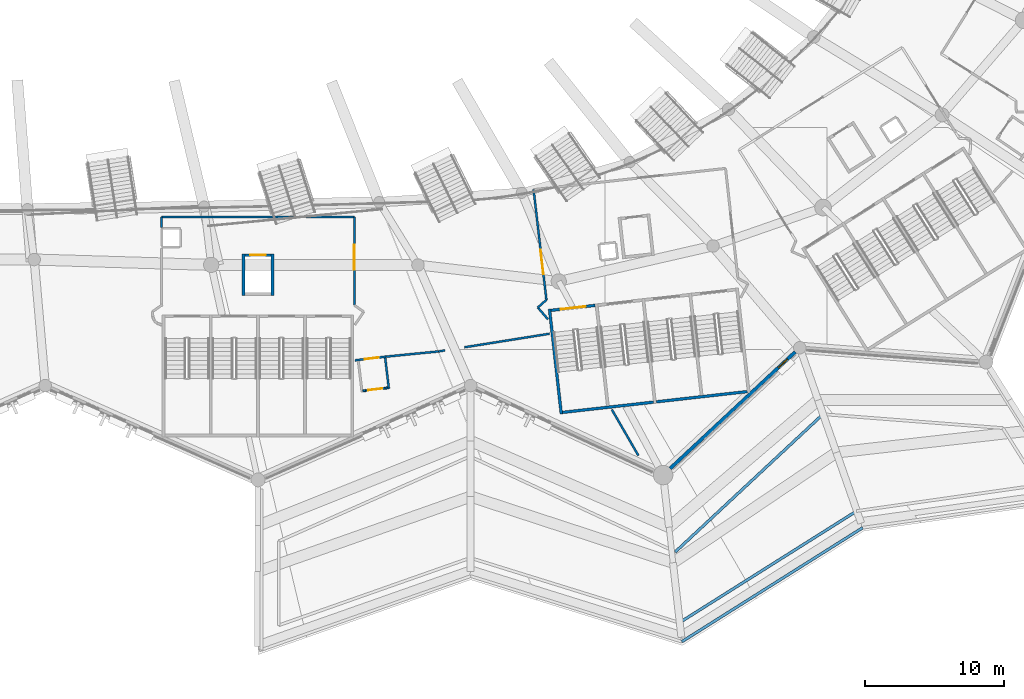
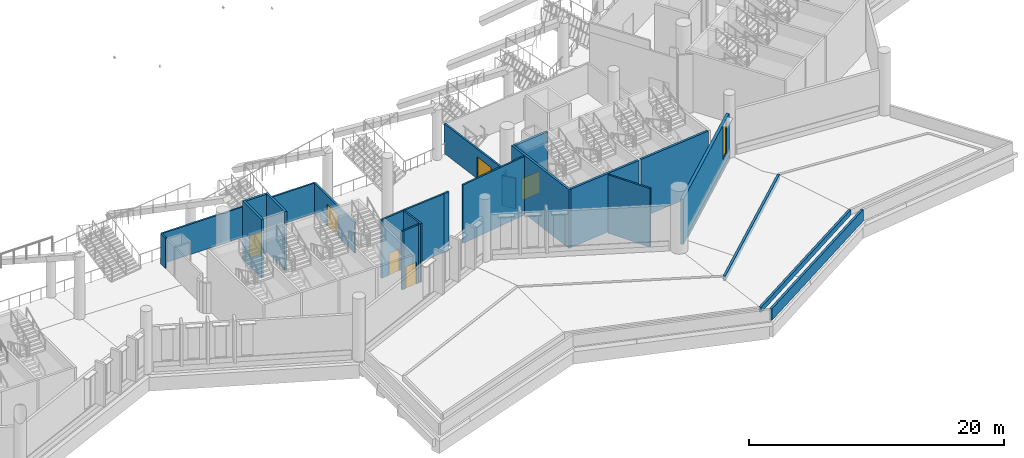
# One storey, part 52 of 173: 26 walls, 6 doors, 1 window, 7 openings.
"""IFC4 building model written with IfcOpenShell, lengths in metres."""

from ifc_helpers import new_model, si_unit, direction, frame, frame_2d, origin, place, context, subcontext, project, spatial, rectangle, extrude, material, layer, layer_set, type_object, element, fill, save


model = new_model("IFC4")

# Units and contexts
model_context = context("Model", 3, precision=1e-05, world=origin(), true_north=direction((0.0, 1.0)))
body_context = subcontext(model_context, "Body", "Model", "MODEL_VIEW")
ifc_project = project(units=[si_unit("LENGTHUNIT", "METRE"), si_unit("AREAUNIT", "SQUARE_METRE"), si_unit("VOLUMEUNIT", "CUBIC_METRE"), si_unit("PLANEANGLEUNIT", "RADIAN"), si_unit("MASSUNIT", "GRAM", prefix="KILO")], contexts=[model_context])

# Site, building, storey
site_placement = place(None, origin())
site = spatial("IfcSite", under=ifc_project, at=site_placement, CompositionType="ELEMENT")
building_placement = place(site_placement, origin())
building = spatial("IfcBuilding", under=site, at=building_placement, Name="Meseta Stadium", CompositionType="ELEMENT")
storey_placement = place(building_placement, frame((0.0, 0.0, 18.0)))
storey = spatial("IfcBuildingStorey", under=building, at=storey_placement, Name="L03", CompositionType="ELEMENT", Elevation=18.0)

# Walls
ifc_material_1 = material(Name="Concrete C40/50", Category="concrete")
ifc_layer_1 = layer(ifc_material_1, 0.199951171875)
ifc_layer_set_1 = layer_set([ifc_layer_1], Name="Core shaft wall 200")
wall_type_1 = type_object("IfcWallType", Name="Core shaft wall 200", PredefinedType="SHEAR", material=ifc_layer_set_1)
for number, where, z_axis, x_axis, name in (
    (1, (21.949951171875, -92.10009765625, 0.0), (0.0, 0.0, 1.0), (0.0, 1.0, 0.0), "Core 25 L03 lift shaft wall left"),
    (2, (24.050048828125, -92.10009765625, 0.0), (0.0, 0.0, 1.0), (0.0, 1.0, 0.0), "Core 25 L03 lift shaft wall right"),
):
    element("IfcWall", number, at=place(storey_placement, frame(where, z_axis=z_axis, x_axis=x_axis)), inside=storey, type_object=wall_type_1, Name=name, PredefinedType="SHEAR", context=body_context, shape_type="SweptSolid", body=[
        extrude(rectangle(XDim=3.0, YDim=0.199951171875, at=frame_2d((1.5, 0.0))), origin(), (0.0, 0.0, 1.0), 5.60009765625),
    ])

# Wall, opening, door
wall_1_placement = place(storey_placement, frame((22.050048828125, -89.199951171875, 0.0), z_axis=(0.0, 0.0, 1.0), x_axis=(1.0, 0.0, 0.0)))
wall_1 = element("IfcWall", 3, at=wall_1_placement, inside=storey, type_object=wall_type_1, Name="Core 25 L03 lift shaft front wall", PredefinedType="SHEAR", context=body_context, shape_type="SweptSolid", body=[
    extrude(rectangle(XDim=1.89990234375, YDim=0.199951171875, at=frame_2d((0.949951171875, 0.0))), origin(), (0.0, 0.0, 1.0), 5.60009765625),
])
opening_1_placement = place(wall_1_placement, frame((0.39990234375, 0.0, 0.0)))
opening_1 = element("IfcOpeningElement", 4, at=opening_1_placement, cuts=wall_1, Name="Opening LD139", PredefinedType="OPENING", context=body_context, shape_type="SweptSolid", body=[
    extrude(rectangle(XDim=1.10009765625, YDim=2.10009765625, at=frame_2d((0.550048828125, 1.050048828125))), frame((0.0, 0.10986328125, 0.0), z_axis=(0.0, -1.0, 0.0), x_axis=(1.0, 0.0, 0.0)), (0.0, 0.0, 1.0), 0.219970703125),
])
ifc_material_2 = material(Name="Steel", Category="steel")
door_type_1 = type_object("IfcDoorType", Name="Lift landing door 1100x2100", OperationType="SLIDING_TO_LEFT", PredefinedType="DOOR", material=ifc_material_2)
door_1_placement = place(opening_1_placement, origin())
door_1 = element("IfcDoor", 5, at=door_1_placement, inside=storey, type_object=door_type_1, Name="Lift landing door LD139", OperationType="SLIDING_TO_LEFT", OverallHeight=2.10009765625, OverallWidth=1.10009765625, PredefinedType="DOOR", context=body_context, shape_type="SweptSolid", body=[
    extrude(rectangle(XDim=1.10009765625, YDim=2.10009765625, at=frame_2d((0.550048828125, 1.050048828125))), frame((0.0, 0.02490234375, 0.0), z_axis=(0.0, -1.0, 0.0), x_axis=(1.0, 0.0, 0.0)), (0.0, 0.0, 1.0), 0.050048828125),
])
fill(opening_1, door_1)

# Walls
wall_2_placement = place(storey_placement, frame((44.86328125, -100.645751953125, 0.0), z_axis=(0.0, 0.0, 1.0), x_axis=(-0.111951003472, 0.993713727802, 0.0)))
element("IfcWall", 6, at=wall_2_placement, inside=storey, type_object=wall_type_1, Name="Core 26 L03 stair wall A-side", PredefinedType="SHEAR", context=body_context, shape_type="SweptSolid", body=[
    extrude(rectangle(XDim=7.60009765625, YDim=0.199951171875, at=frame_2d((3.800048828125, 0.0))), origin(), (0.0, 0.0, 1.0), 5.60009765625),
])
for number, where, z_axis, x_axis, name in (
    (7, (44.951416015625, -100.53515625, 0.0), (0.0, 0.0, 1.0), (0.993711575492, 0.111970106426, 0.0), "Core 26 L03 stair A outer end wall"),
    (8, (51.708740234375, -99.773681640625, 0.0), (0.0, 0.0, 1.0), (0.993715690617, 0.111933579504, 0.0), "Core 26 L03 stair B outer end wall"),
):
    element("IfcWall", number, at=place(storey_placement, frame(where, z_axis=z_axis, x_axis=x_axis)), inside=storey, type_object=wall_type_1, Name=name, PredefinedType="SHEAR", context=body_context, shape_type="SweptSolid", body=[
        extrude(rectangle(XDim=6.60009765625, YDim=0.199951171875, at=frame_2d((3.300048828125, 0.0))), origin(), (0.0, 0.0, 1.0), 5.60009765625),
    ])

# Wall, opening, door
wall_3_placement = place(storey_placement, frame((44.123046875, -93.181640625, 0.0), z_axis=(0.0, 0.0, 1.0), x_axis=(0.993717005286, 0.11192190762, 0.0)))
wall_3 = element("IfcWall", 9, at=wall_3_placement, inside=storey, type_object=wall_type_1, Name="Core 26 L03 stair A1 inner end wall", PredefinedType="SHEAR", context=body_context, shape_type="SweptSolid", body=[
    extrude(rectangle(XDim=3.199951171875, YDim=0.199951171875, at=frame_2d((1.60009765625, 0.0))), origin(), (0.0, 0.0, 1.0), 5.60009765625),
])
opening_2_placement = place(wall_3_placement, frame((0.699951171875, 0.0, 0.0)))
opening_2 = element("IfcOpeningElement", 10, at=opening_2_placement, cuts=wall_3, Name="Opening D1409", PredefinedType="OPENING", context=body_context, shape_type="SweptSolid", body=[
    extrude(rectangle(XDim=1.800048828125, YDim=2.10009765625, at=frame_2d((0.89990234375, 1.050048828125))), frame((0.0, 0.10986328125, 0.0), z_axis=(0.0, -1.0, 0.0), x_axis=(1.0, 0.0, 0.0)), (0.0, 0.0, 1.0), 0.219970703125),
])
ifc_material_3 = material(Name="Steel", Category="steel")
door_type_2 = type_object("IfcDoorType", Name="Stair door 1800x2100", OperationType="DOUBLE_DOOR_SINGLE_SWING", PredefinedType="DOOR", material=ifc_material_3)
door_2_placement = place(opening_2_placement, origin())
door_2 = element("IfcDoor", 11, at=door_2_placement, inside=storey, type_object=door_type_2, Name="Stair A1 door 26 L03", OperationType="DOUBLE_DOOR_SINGLE_SWING", OverallHeight=2.10009765625, OverallWidth=1.800048828125, PredefinedType="DOOR", context=body_context, shape_type="SweptSolid", body=[
    extrude(rectangle(XDim=1.800048828125, YDim=2.10009765625, at=frame_2d((0.89990234375, 1.050048828125))), frame((0.0, 0.02490234375, 0.0), z_axis=(0.0, -1.0, 0.0), x_axis=(1.0, 0.0, 0.0)), (0.0, 0.0, 1.0), 0.050048828125),
])
fill(opening_2, door_2)

ifc_material_4 = material(Name="Masonry blockwork", Category="masonry")
ifc_layer_2 = layer(ifc_material_4, 0.14990234375)
ifc_layer_set_2 = layer_set([ifc_layer_2], Name="Partition 150")
wall_type_2 = type_object("IfcWallType", Name="Partition 150", PredefinedType="PARTITIONING", material=ifc_layer_set_2)
wall_4_placement = place(storey_placement, frame((30.0, -96.783447265625, 0.0), z_axis=(0.0, 0.0, 1.0), x_axis=(0.992839520799, 0.119455790735, 0.0)))
wall_4 = element("IfcWall", 12, at=wall_4_placement, inside=storey, type_object=wall_type_2, Name="Partition L03 L03-cell24-1-0", PredefinedType="PARTITIONING", context=body_context, shape_type="SweptSolid", body=[
    extrude(rectangle(XDim=2.231689453125, YDim=0.14990234375, at=frame_2d((1.11572265625, 0.0))), origin(), (0.0, 0.0, 1.0), 5.60009765625),
])
opening_3_placement = place(wall_4_placement, frame((0.699951171875, 0.0, 0.0)))
opening_3 = element("IfcOpeningElement", 13, at=opening_3_placement, cuts=wall_4, Name="Opening D1400", PredefinedType="OPENING", context=body_context, shape_type="SweptSolid", body=[
    extrude(rectangle(XDim=1.0, YDim=2.10009765625, at=frame_2d((0.5, 1.050048828125))), frame((0.0, 0.0849609375, 0.0), z_axis=(0.0, -1.0, 0.0), x_axis=(1.0, 0.0, 0.0)), (0.0, 0.0, 1.0), 0.169921875),
])
ifc_material_5 = material(Name="Steel", Category="steel")
door_type_3 = type_object("IfcDoorType", Name="Fire door 1000x2100 EI2 60", OperationType="NOTDEFINED", PredefinedType="DOOR", material=ifc_material_5)
door_3_placement = place(opening_3_placement, origin())
door_3 = element("IfcDoor", 14, at=door_3_placement, inside=storey, type_object=door_type_3, Name="Room door L03 L03-cell24-1-0", OperationType="SINGLE_SWING_RIGHT", OverallHeight=2.10009765625, OverallWidth=1.0, PredefinedType="DOOR", context=body_context, shape_type="SweptSolid", body=[
    extrude(rectangle(XDim=1.0, YDim=2.10009765625, at=frame_2d((0.5, 1.050048828125))), frame((0.0, 0.02490234375, 0.0), z_axis=(0.0, -1.0, 0.0), x_axis=(1.0, 0.0, 0.0)), (0.0, 0.0, 1.0), 0.050048828125),
])
fill(opening_3, door_3)

# Walls
wall_5_placement = place(storey_placement, frame((32.2158203125, -96.516845703125, 0.0), z_axis=(0.0, 0.0, 1.0), x_axis=(0.995135010831, 0.098520608089, 0.0)))
element("IfcWall", 15, at=wall_5_placement, inside=storey, type_object=wall_type_2, Name="Partition L03 L03-cell24-1-0", PredefinedType="PARTITIONING", context=body_context, shape_type="SweptSolid", body=[
    extrude(rectangle(XDim=3.811279296875, YDim=0.14990234375, at=frame_2d((1.90576171875, 0.0))), origin(), (0.0, 0.0, 1.0), 5.60009765625),
])
wall_6_placement = place(storey_placement, frame((36.008544921875, -96.141357421875, 0.0), z_axis=(0.0, 0.0, 1.0), x_axis=(0.987478956235, 0.157750787614, 0.0)))
element("IfcWall", 16, at=wall_6_placement, inside=storey, type_object=wall_type_2, Name="Partition L03 L03-cell24-1-0", PredefinedType="PARTITIONING", context=body_context, shape_type="SweptSolid", body=[
    extrude(rectangle(XDim=0.4765625, YDim=0.14990234375, at=frame_2d((0.23828125, 0.0))), origin(), (0.0, 0.0, 1.0), 5.60009765625),
])
wall_7_placement = place(storey_placement, frame((37.891357421875, -95.841064453125, 0.0), z_axis=(0.0, 0.0, 1.0), x_axis=(0.987522859615, 0.157475717929, 0.0)))
element("IfcWall", 17, at=wall_7_placement, inside=storey, type_object=wall_type_2, Name="Partition L03 L03-cell24-1-0", PredefinedType="PARTITIONING", context=body_context, shape_type="SweptSolid", body=[
    extrude(rectangle(XDim=6.19677734375, YDim=0.14990234375, at=frame_2d((3.098388671875, 0.0))), origin(), (0.0, 0.0, 1.0), 5.60009765625),
])
wall_8_placement = place(storey_placement, frame((48.508056640625, -100.335693359375, 0.0), z_axis=(0.0, 0.0, 1.0), x_axis=(0.500439359674, -0.865771590715, 0.0)))
element("IfcWall", 18, at=wall_8_placement, inside=storey, type_object=wall_type_2, Name="Partition L03 L03-cell24-1-0", PredefinedType="PARTITIONING", context=body_context, shape_type="SweptSolid", body=[
    extrude(rectangle(XDim=3.82177734375, YDim=0.14990234375, at=frame_2d((1.910888671875, 0.0))), origin(), (0.0, 0.0, 1.0), 5.60009765625),
])

# Wall, opening, door
wall_9_placement = place(storey_placement, frame((29.945068359375, -92.809326171875, 0.0), z_axis=(0.0, 0.0, 1.0), x_axis=(0.0, 1.0, 0.0)))
wall_9 = element("IfcWall", 19, at=wall_9_placement, inside=storey, type_object=wall_type_2, Name="Stair vestibule wall L03 core 25", PredefinedType="PARTITIONING", context=body_context, shape_type="SweptSolid", body=[
    extrude(rectangle(XDim=6.354248046875, YDim=0.14990234375, at=frame_2d((3.17724609375, 0.0))), origin(), (0.0, 0.0, 1.0), 2.9052734375),
])
opening_4_placement = place(wall_9_placement, frame((2.550048828125, 0.0, 0.0)))
opening_4 = element("IfcOpeningElement", 20, at=opening_4_placement, cuts=wall_9, Name="Opening D1399", PredefinedType="OPENING", context=body_context, shape_type="SweptSolid", body=[
    extrude(rectangle(XDim=1.800048828125, YDim=2.10009765625, at=frame_2d((0.89990234375, 1.050048828125))), frame((0.0, 0.0849609375, 0.0), z_axis=(0.0, -1.0, 0.0), x_axis=(1.0, 0.0, 0.0)), (0.0, 0.0, 1.0), 0.169921875),
])
ifc_material_6 = material(Name="Steel", Category="steel")
door_type_4 = type_object("IfcDoorType", Name="Fire double door 1800x2100 EI2 60", OperationType="DOUBLE_DOOR_SINGLE_SWING", PredefinedType="DOOR", material=ifc_material_6)
door_4_placement = place(opening_4_placement, origin())
door_4 = element("IfcDoor", 21, at=door_4_placement, inside=storey, type_object=door_type_4, Name="Stair vestibule door L03 core 25", OperationType="DOUBLE_DOOR_SINGLE_SWING", OverallHeight=2.10009765625, OverallWidth=1.800048828125, PredefinedType="DOOR", context=body_context, shape_type="SweptSolid", body=[
    extrude(rectangle(XDim=1.800048828125, YDim=2.10009765625, at=frame_2d((0.89990234375, 1.050048828125))), frame((0.0, 0.02490234375, 0.0), z_axis=(0.0, -1.0, 0.0), x_axis=(1.0, 0.0, 0.0)), (0.0, 0.0, 1.0), 0.050048828125),
])
fill(opening_4, door_4)

# Walls
wall_10_placement = place(storey_placement, frame((29.945068359375, -86.455078125, 0.0), z_axis=(0.0, 0.0, 1.0), x_axis=(-1.0, 0.0, 0.0)))
element("IfcWall", 22, at=wall_10_placement, inside=storey, type_object=wall_type_2, Name="Stair vestibule wall L03 core 25", PredefinedType="PARTITIONING", context=body_context, shape_type="SweptSolid", body=[
    extrude(rectangle(XDim=13.89013671875, YDim=0.14990234375, at=frame_2d((6.945068359375, 0.0))), origin(), (0.0, 0.0, 1.0), 2.9052734375),
])
wall_11_placement = place(storey_placement, frame((16.054931640625, -86.455078125, 0.0), z_axis=(0.0, 0.0, 1.0), x_axis=(0.0, -1.0, 0.0)))
element("IfcWall", 23, at=wall_11_placement, inside=storey, type_object=wall_type_2, Name="Stair vestibule wall L03 core 25", PredefinedType="PARTITIONING", context=body_context, shape_type="SweptSolid", body=[
    extrude(rectangle(XDim=0.739013671875, YDim=0.14990234375, at=frame_2d((0.36962890625, 0.0))), origin(), (0.0, 0.0, 1.0), 2.9052734375),
])

# Wall, opening, door
wall_12_placement = place(storey_placement, frame((42.865234375, -84.4775390625, 0.0), z_axis=(0.0, 0.0, 1.0), x_axis=(0.115729147229, -0.993280808473, 0.0)))
wall_12 = element("IfcWall", 24, at=wall_12_placement, inside=storey, type_object=wall_type_2, Name="Stair vestibule wall L03 core 26", PredefinedType="PARTITIONING", context=body_context, shape_type="SweptSolid", body=[
    extrude(rectangle(XDim=7.99951171875, YDim=0.14990234375, at=frame_2d((3.999755859375, 0.0))), origin(), (0.0, 0.0, 1.0), 2.85009765625),
])
opening_5_placement = place(wall_12_placement, frame((4.35009765625, 0.0, 0.0)))
opening_5 = element("IfcOpeningElement", 25, at=opening_5_placement, cuts=wall_12, Name="Opening D1407", PredefinedType="OPENING", context=body_context, shape_type="SweptSolid", body=[
    extrude(rectangle(XDim=1.800048828125, YDim=2.10009765625, at=frame_2d((0.89990234375, 1.050048828125))), frame((0.0, 0.0849609375, 0.0), z_axis=(0.0, -1.0, 0.0), x_axis=(1.0, 0.0, 0.0)), (0.0, 0.0, 1.0), 0.169921875),
])
door_5_placement = place(opening_5_placement, origin())
door_5 = element("IfcDoor", 26, at=door_5_placement, inside=storey, type_object=door_type_4, Name="Stair vestibule door L03 core 26", OperationType="DOUBLE_DOOR_SINGLE_SWING", OverallHeight=2.10009765625, OverallWidth=1.800048828125, PredefinedType="DOOR", context=body_context, shape_type="SweptSolid", body=[
    extrude(rectangle(XDim=1.800048828125, YDim=2.10009765625, at=frame_2d((0.89990234375, 1.050048828125))), frame((0.0, 0.02490234375, 0.0), z_axis=(0.0, -1.0, 0.0), x_axis=(1.0, 0.0, 0.0)), (0.0, 0.0, 1.0), 0.050048828125),
])
fill(opening_5, door_5)

# Walls
wall_13_placement = place(storey_placement, frame((43.791015625, -92.42333984375, 0.0), z_axis=(0.0, 0.0, 1.0), x_axis=(-0.748350259109, -0.66330376879, 0.0)))
element("IfcWall", 27, at=wall_13_placement, inside=storey, type_object=wall_type_2, Name="Stair vestibule wall L03 core 26", PredefinedType="PARTITIONING", context=body_context, shape_type="SweptSolid", body=[
    extrude(rectangle(XDim=0.82958984375, YDim=0.14990234375, at=frame_2d((0.414794921875, 0.0))), origin(), (0.0, 0.0, 1.0), 2.913818359375),
])
wall_14_placement = place(storey_placement, frame((43.170166015625, -92.9736328125, 0.0), z_axis=(0.0, 0.0, 1.0), x_axis=(0.651040876816, -0.759042671208, 0.0)))
element("IfcWall", 28, at=wall_14_placement, inside=storey, type_object=wall_type_2, Name="Stair vestibule wall L03 core 26", PredefinedType="PARTITIONING", context=body_context, shape_type="SweptSolid", body=[
    extrude(rectangle(XDim=1.1279296875, YDim=0.14990234375, at=frame_2d((0.56396484375, 0.0))), origin(), (0.0, 0.0, 1.0), 2.913818359375),
])
wall_15_placement = place(storey_placement, frame((32.16845703125, -96.59814453125, 0.0), z_axis=(0.0, 0.0, 1.0), x_axis=(0.119359153818, -0.992851143123, 0.0)))
element("IfcWall", 29, at=wall_15_placement, inside=storey, type_object=wall_type_2, Name="Partition L03 L03-cell24-1-0 vestibule", PredefinedType="PARTITIONING", context=body_context, shape_type="SweptSolid", body=[
    extrude(rectangle(XDim=2.25, YDim=0.14990234375, at=frame_2d((1.125, 0.0))), origin(), (0.0, 0.0, 1.0), 5.60009765625),
])
wall_16_placement = place(storey_placement, frame((30.56640625, -98.9814453125, 0.0), z_axis=(0.0, 0.0, 1.0), x_axis=(0.992830592569, 0.119529973061, 0.0)))
element("IfcWall", 30, at=wall_16_placement, inside=storey, type_object=wall_type_2, Name="Partition L03 L03-cell24-1-0 vestibule", PredefinedType="PARTITIONING", context=body_context, shape_type="SweptSolid", body=[
    extrude(rectangle(XDim=0.2001953125, YDim=0.14990234375, at=frame_2d((0.10009765625, 0.0))), origin(), (0.0, 0.0, 1.0), 5.60009765625),
])

# Wall, opening, door
wall_17_placement = place(storey_placement, frame((30.76513671875, -98.95751953125, 0.0), z_axis=(0.0, 0.0, 1.0), x_axis=(0.99283882799, 0.119461548774, 0.0)))
wall_17 = element("IfcWall", 31, at=wall_17_placement, inside=storey, type_object=wall_type_2, Name="Partition L03 L03-cell24-1-0 vestibule", PredefinedType="PARTITIONING", context=body_context, shape_type="SweptSolid", body=[
    extrude(rectangle(XDim=1.39990234375, YDim=0.14990234375, at=frame_2d((0.699951171875, 0.0))), origin(), (0.0, 0.0, 1.0), 5.60009765625),
])
opening_6_placement = place(wall_17_placement, frame((0.199951171875, 0.0, 0.0)))
opening_6 = element("IfcOpeningElement", 32, at=opening_6_placement, cuts=wall_17, Name="Opening D1402", PredefinedType="OPENING", context=body_context, shape_type="SweptSolid", body=[
    extrude(rectangle(XDim=1.0, YDim=2.10009765625, at=frame_2d((0.5, 1.050048828125))), frame((0.0, 0.0849609375, 0.0), z_axis=(0.0, -1.0, 0.0), x_axis=(1.0, 0.0, 0.0)), (0.0, 0.0, 1.0), 0.169921875),
])
door_6_placement = place(opening_6_placement, origin())
door_6 = element("IfcDoor", 33, at=door_6_placement, inside=storey, type_object=door_type_3, Name="Vestibule door L03 L03-cell24-1-0", OperationType="SINGLE_SWING_RIGHT", OverallHeight=2.10009765625, OverallWidth=1.0, PredefinedType="DOOR", context=body_context, shape_type="SweptSolid", body=[
    extrude(rectangle(XDim=1.0, YDim=2.10009765625, at=frame_2d((0.5, 1.050048828125))), frame((0.0, 0.02490234375, 0.0), z_axis=(0.0, -1.0, 0.0), x_axis=(1.0, 0.0, 0.0)), (0.0, 0.0, 1.0), 0.050048828125),
])
fill(opening_6, door_6)

# Walls
wall_18_placement = place(storey_placement, frame((32.155029296875, -98.790283203125, 0.0), z_axis=(0.0, 0.0, 1.0), x_axis=(0.992957519171, 0.118470946322, 0.0)))
element("IfcWall", 34, at=wall_18_placement, inside=storey, type_object=wall_type_2, Name="Partition L03 L03-cell24-1-0 vestibule", PredefinedType="PARTITIONING", context=body_context, shape_type="SweptSolid", body=[
    extrude(rectangle(XDim=0.199951171875, YDim=0.14990234375, at=frame_2d((0.10009765625, 0.0))), origin(), (0.0, 0.0, 1.0), 5.60009765625),
])
ifc_material_7 = material(Name="Precast concrete C40/50", Category="concrete")
ifc_layer_3 = layer(ifc_material_7, 0.199951171875)
ifc_layer_set_3 = layer_set([ifc_layer_3], Name="Planter kerb 200")
wall_type_3 = type_object("IfcWallType", Name="Planter kerb 200", PredefinedType="USERDEFINED", material=ifc_layer_set_3)
wall_19_placement = place(storey_placement, frame((53.081787109375, -110.589111328125, 0.0), z_axis=(0.0, 0.0, 1.0), x_axis=(0.731537602441, 0.681801097253, 0.0)))
element("IfcWall", 35, at=wall_19_placement, inside=storey, type_object=wall_type_3, Name="Planter kerb 7.1.5", ObjectType="PLANTER", PredefinedType="USERDEFINED", context=body_context, shape_type="SweptSolid", body=[
    extrude(rectangle(XDim=14.55419921875, YDim=0.199951171875, at=frame_2d((7.277099609375, 0.0))), origin(), (0.0, 0.0, 1.0), 0.5),
])
wall_20_placement = place(storey_placement, frame((66.146484375, -107.6474609375, 0.0), z_axis=(0.0, 0.0, 1.0), x_axis=(-0.84604324113, -0.533114278686, 0.0)))
element("IfcWall", 36, at=wall_20_placement, inside=storey, type_object=wall_type_3, Name="Planter kerb 7.1.9", ObjectType="PLANTER", PredefinedType="USERDEFINED", context=body_context, shape_type="SweptSolid", body=[
    extrude(rectangle(XDim=15.099609375, YDim=0.199951171875, at=frame_2d((7.5498046875, 0.0))), origin(), (0.0, 0.0, 1.0), 0.5),
])

# Wall, opening, window
ifc_material_8 = material(Name="White precast concrete C40/50", Category="concrete")
ifc_layer_4 = layer(ifc_material_8, 0.25)
ifc_layer_set_4 = layer_set([ifc_layer_4], Name="Pleated panel wall 250")
wall_type_4 = type_object("IfcWallType", Name="Pleated panel wall 250", PredefinedType="SOLIDWALL", material=ifc_layer_set_4)
wall_21_placement = place(storey_placement, frame((61.72265625, -96.17919921875, 0.0), z_axis=(0.0, 0.0, 1.0), x_axis=(-0.731540985517, -0.681797467368, 0.0)))
wall_21 = element("IfcWall", 37, at=wall_21_placement, inside=storey, type_object=wall_type_4, Name="Pleated facade panel L03 F50", PredefinedType="SOLIDWALL", context=body_context, shape_type="SweptSolid", body=[
    extrude(rectangle(XDim=12.314208984375, YDim=0.25, at=frame_2d((6.1572265625, 0.0))), origin(), (0.0, 0.0, 1.0), 4.300048828125),
])
opening_7_placement = place(wall_21_placement, frame((0.75048828125, 0.0, 1.0)))
opening_7 = element("IfcOpeningElement", 38, at=opening_7_placement, cuts=wall_21, Name="Opening W136", PredefinedType="OPENING", context=body_context, shape_type="SweptSolid", body=[
    extrude(rectangle(XDim=0.89990234375, YDim=3.25, at=frame_2d((0.449951171875, 1.625))), frame((0.0, 0.135009765625, 0.0), z_axis=(0.0, -1.0, 0.0), x_axis=(1.0, 0.0, 0.0)), (0.0, 0.0, 1.0), 0.27001953125),
])
ifc_material_9 = material(Name="Aluminium", Category="aluminium")
window_type = type_object("IfcWindowType", Name="Slot window 900x3250", PartitioningType="SINGLE_PANEL", PredefinedType="WINDOW", material=ifc_material_9)
window_placement = place(opening_7_placement, origin())
window = element("IfcWindow", 39, at=window_placement, inside=storey, type_object=window_type, Name="Slot window L03 F50.1", OverallHeight=3.25, OverallWidth=0.89990234375, PartitioningType="SINGLE_PANEL", PredefinedType="WINDOW", context=body_context, shape_type="SweptSolid", body=[
    extrude(rectangle(XDim=0.89990234375, YDim=3.25, at=frame_2d((0.449951171875, 1.625))), frame((0.0, 0.030029296875, 0.0), z_axis=(0.0, -1.0, 0.0), x_axis=(1.0, 0.0, 0.0)), (0.0, 0.0, 1.0), 0.06005859375),
])
fill(opening_7, window)

# Wall
ifc_material_10 = material(Name="Concrete C40/50", Category="concrete")
ifc_layer_5 = layer(ifc_material_10, 0.199951171875)
ifc_layer_set_5 = layer_set([ifc_layer_5], Name="Roof parapet 200")
wall_type_5 = type_object("IfcWallType", Name="Roof parapet 200", PredefinedType="PARAPET", material=ifc_layer_set_5)
wall_22_placement = place(storey_placement, frame((66.58740234375, -108.84716796875, 0.0), z_axis=(0.0, 0.0, 1.0), x_axis=(-0.846046782994, -0.533108657766, 0.0)))
element("IfcWall", 40, at=wall_22_placement, inside=storey, type_object=wall_type_5, Name="Roof parapet 7.47.1", PredefinedType="PARAPET", context=body_context, shape_type="SweptSolid", body=[
    extrude(rectangle(XDim=15.408935546875, YDim=0.199951171875, at=frame_2d((7.70458984375, 0.0))), origin(), (0.0, 0.0, 1.0), 1.10009765625),
])

save(model, "model.ifc")
